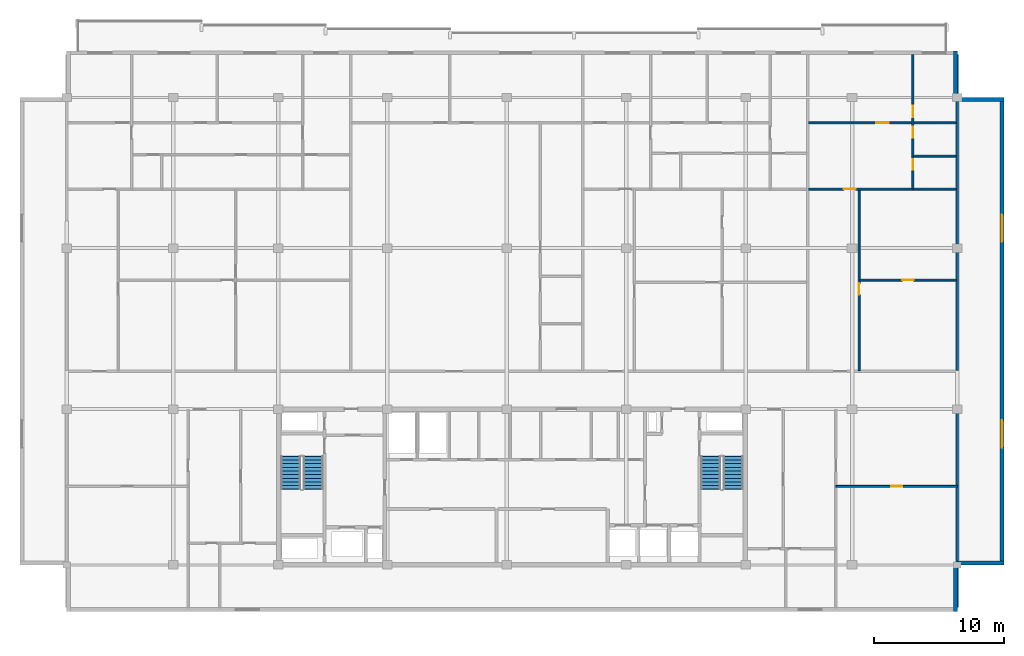
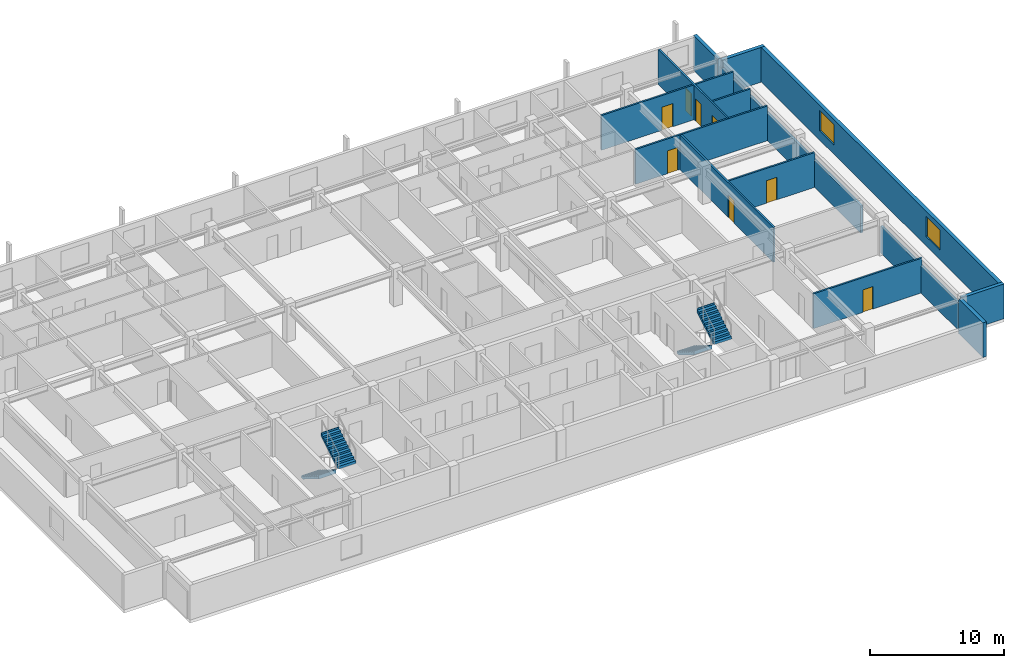
# One storey, part 8 of 10: 14 walls, 8 doors, 4 stair flights, 2 windows, 10 openings, 2 elements without a shape of their own.
"""IFC4 building model written with IfcOpenShell, lengths in metres."""

from ifc_helpers import new_model, si_unit, direction, frame, frame_2d, origin, place, context, subcontext, project, spatial, polyline, rectangle, outline, extrude, material, layer, layer_set, type_object, element, fill, aggregate, save


model = new_model("IFC4")

# Units and contexts
model_context = context("Model", 3, precision=1e-05, world=origin(), true_north=direction((0.0, 1.0)))
body_context = subcontext(model_context, "Body", "Model", "MODEL_VIEW")
ifc_project = project(units=[si_unit("LENGTHUNIT", "METRE"), si_unit("AREAUNIT", "SQUARE_METRE"), si_unit("VOLUMEUNIT", "CUBIC_METRE"), si_unit("PLANEANGLEUNIT", "RADIAN"), si_unit("MASSUNIT", "GRAM", prefix="KILO")], contexts=[model_context])

# Site, building, storey
site_placement = place(None, origin())
site = spatial("IfcSite", under=ifc_project, at=site_placement, CompositionType="ELEMENT")
building_placement = place(site_placement, origin())
building = spatial("IfcBuilding", under=site, at=building_placement, Name="Korimba Cascade Residences", CompositionType="ELEMENT")
storey_placement = place(building_placement, frame((0.0, 0.0, 232.10009765625)))
storey = spatial("IfcBuildingStorey", under=building, at=storey_placement, Name="L67", CompositionType="ELEMENT", Elevation=232.10009765625)

# Walls
ifc_material_1 = material(Name="Precast concrete C40/50", Category="concrete")
ifc_layer_1 = layer(ifc_material_1, 0.300048828125)
ifc_layer_set_1 = layer_set([ifc_layer_1], Name="Precast concrete C40/50")
wall_type_1 = type_object("IfcWallType", Name="EW-STONE-300", PredefinedType="STANDARD", material=ifc_layer_set_1)
wall_1_placement = place(storey_placement, frame((128.25, 51.60009765625, 0.0), z_axis=(0.0, 0.0, 1.0), x_axis=(0.0, 1.0, 0.0)))
element("IfcWall", 1, at=wall_1_placement, inside=storey, type_object=wall_type_1, Name="L67 T1 Perimeter Stone Wall E01", PredefinedType="STANDARD", context=body_context, shape_type="SweptSolid", body=[
    extrude(rectangle(XDim=3.599853515625, YDim=0.300048828125, at=frame_2d((1.7998046875, 0.0))), origin(), (0.0, 0.0, 1.0), 3.169921875),
])
wall_2_placement = place(storey_placement, frame((128.39990234375, 55.35009765625, 0.0), z_axis=(0.0, 0.0, 1.0), x_axis=(1.0, 0.0, 0.0)))
element("IfcWall", 2, at=wall_2_placement, inside=storey, type_object=wall_type_1, Name="L67 T1 Perimeter Stone Wall E02", PredefinedType="STANDARD", context=body_context, shape_type="SweptSolid", body=[
    extrude(rectangle(XDim=3.60009765625, YDim=0.300048828125, at=frame_2d((1.800048828125, 0.0))), origin(), (0.0, 0.0, 1.0), 3.169921875),
])

# Wall, openings, windows
wall_3_placement = place(storey_placement, frame((131.85009765625, 55.199951171875, 0.0), z_axis=(0.0, 0.0, 1.0), x_axis=(0.0, 1.0, 0.0)))
wall_3 = element("IfcWall", 3, at=wall_3_placement, inside=storey, type_object=wall_type_1, Name="L67 T1 Perimeter Stone Wall E03", PredefinedType="STANDARD", context=body_context, shape_type="SweptSolid", body=[
    extrude(rectangle(XDim=36.0, YDim=0.300048828125, at=frame_2d((18.0, 0.0))), origin(), (0.0, 0.0, 1.0), 3.169921875),
])
opening_1_placement = place(wall_3_placement, frame((9.030029296875, 0.0, 0.85009765625)))
opening_1 = element("IfcOpeningElement", 4, at=opening_1_placement, cuts=wall_3, Name="Opening W-03", PredefinedType="OPENING", context=body_context, shape_type="SweptSolid", body=[
    extrude(rectangle(XDim=2.10009765625, YDim=1.85009765625, at=frame_2d((1.050048828125, 0.925048828125))), frame((0.0, 0.16015625, 0.0), z_axis=(0.0, -1.0, 0.0), x_axis=(1.0, 0.0, 0.0)), (0.0, 0.0, 1.0), 0.320068359375),
])
opening_2_placement = place(wall_3_placement, frame((24.8701171875, 0.0, 0.85009765625)))
opening_2 = element("IfcOpeningElement", 5, at=opening_2_placement, cuts=wall_3, Name="Opening W-03", PredefinedType="OPENING", context=body_context, shape_type="SweptSolid", body=[
    extrude(rectangle(XDim=2.10009765625, YDim=1.85009765625, at=frame_2d((1.050048828125, 0.925048828125))), frame((0.0, 0.16015625, 0.0), z_axis=(0.0, -1.0, 0.0), x_axis=(1.0, 0.0, 0.0)), (0.0, 0.0, 1.0), 0.320068359375),
])
ifc_material_2 = material(Name="Double-Glazed Aluminium Window", Category="aluminium")
window_type = type_object("IfcWindowType", Name="WIN-CRN-2100", PartitioningType="DOUBLE_PANEL_HORIZONTAL", PredefinedType="WINDOW", material=ifc_material_2)
window_1_placement = place(opening_1_placement, origin())
window_1 = element("IfcWindow", 6, at=window_1_placement, inside=storey, type_object=window_type, Name="L67 T1 End View Window 3.1", OverallHeight=1.85009765625, OverallWidth=2.10009765625, PartitioningType="DOUBLE_PANEL_HORIZONTAL", PredefinedType="WINDOW", context=body_context, shape_type="SweptSolid", body=[
    extrude(rectangle(XDim=2.10009765625, YDim=1.85009765625, at=frame_2d((1.050048828125, 0.925048828125))), frame((0.0, 0.030029296875, 0.0), z_axis=(0.0, -1.0, 0.0), x_axis=(1.0, 0.0, 0.0)), (0.0, 0.0, 1.0), 0.06005859375),
])
fill(opening_1, window_1)
window_2_placement = place(opening_2_placement, origin())
window_2 = element("IfcWindow", 7, at=window_2_placement, inside=storey, type_object=window_type, Name="L67 T1 End View Window 3.2", OverallHeight=1.85009765625, OverallWidth=2.10009765625, PartitioningType="DOUBLE_PANEL_HORIZONTAL", PredefinedType="WINDOW", context=body_context, shape_type="SweptSolid", body=[
    extrude(rectangle(XDim=2.10009765625, YDim=1.85009765625, at=frame_2d((1.050048828125, 0.925048828125))), frame((0.0, 0.030029296875, 0.0), z_axis=(0.0, -1.0, 0.0), x_axis=(1.0, 0.0, 0.0)), (0.0, 0.0, 1.0), 0.06005859375),
])
fill(opening_2, window_2)

# Walls
for number, where, z_axis, x_axis, name in (
    (8, (132.0, 91.050048828125, 0.0), (0.0, 0.0, 1.0), (-1.0, 0.0, 0.0), "L67 T1 Perimeter Stone Wall E04"),
    (9, (128.25, 91.199951171875, 0.0), (0.0, 0.0, 1.0), (0.0, 1.0, 0.0), "L67 T1 Perimeter Stone Wall E05"),
):
    element("IfcWall", number, at=place(storey_placement, frame(where, z_axis=z_axis, x_axis=x_axis)), inside=storey, type_object=wall_type_1, Name=name, PredefinedType="STANDARD", context=body_context, shape_type="SweptSolid", body=[
        extrude(rectangle(XDim=3.60009765625, YDim=0.300048828125, at=frame_2d((1.800048828125, 0.0))), origin(), (0.0, 0.0, 1.0), 3.169921875),
    ])
ifc_layer_2 = layer(ifc_material_1, 0.199951171875)
ifc_layer_set_2 = layer_set([ifc_layer_2], Name="Precast concrete C40/50")
wall_type_2 = type_object("IfcWallType", Name="WAL-IT-200", PredefinedType="PARTITIONING", material=ifc_layer_set_2)
wall_4_placement = place(storey_placement, frame((128.39990234375, 51.89990234375, 0.0), z_axis=(0.0, 0.0, 1.0), x_axis=(0.0, 1.0, 0.0)))
element("IfcWall", 10, at=wall_4_placement, inside=storey, type_object=wall_type_2, Name="L67 Partition Wall WAL-L67-T1-FE-WR", PredefinedType="PARTITIONING", context=body_context, shape_type="SweptSolid", body=[
    extrude(rectangle(XDim=15.300048828125, YDim=0.199951171875, at=frame_2d((7.64990234375, 0.0))), origin(), (0.0, 0.0, 1.0), 2.47705078125),
])
wall_5_placement = place(storey_placement, frame((128.39990234375, 70.179931640625, 0.0), z_axis=(0.0, 0.0, 1.0), x_axis=(0.0, 1.0, 0.0)))
element("IfcWall", 11, at=wall_5_placement, inside=storey, type_object=wall_type_2, Name="L67 Partition Wall WAL-L67-T1-BNDWR", PredefinedType="PARTITIONING", context=body_context, shape_type="SweptSolid", body=[
    extrude(rectangle(XDim=24.320068359375, YDim=0.199951171875, at=frame_2d((12.16015625, 0.0))), origin(), (0.0, 0.0, 1.0), 2.47705078125),
])

# Wall, opening, door
ifc_material_3 = material(Name="Insulated Acoustic Stud Partition", Category="gypsum")
ifc_layer_3 = layer(ifc_material_3, 0.14990234375)
ifc_layer_set_3 = layer_set([ifc_layer_3], Name="Insulated Acoustic Stud Partition")
wall_type_3 = type_object("IfcWallType", Name="WAL-PART-150", PredefinedType="PARTITIONING", material=ifc_layer_set_3)
wall_6_placement = place(storey_placement, frame((119.050048828125, 61.25, 0.0), z_axis=(0.0, 0.0, 1.0), x_axis=(1.0, 0.0, 0.0)))
wall_6 = element("IfcWall", 12, at=wall_6_placement, inside=storey, type_object=wall_type_3, Name="L67 Partition Wall WAL-L67-T1-FE-STH", PredefinedType="PARTITIONING", context=body_context, shape_type="SweptSolid", body=[
    extrude(rectangle(XDim=9.349853515625, YDim=0.14990234375, at=frame_2d((4.6748046875, 0.0))), origin(), (0.0, 0.0, 1.0), 3.169921875),
])
opening_3_placement = place(wall_6_placement, frame((4.2548828125, 0.0, 0.0)))
opening_3 = element("IfcOpeningElement", 13, at=opening_3_placement, cuts=wall_6, Name="Opening D-BT1", PredefinedType="OPENING", context=body_context, shape_type="SweptSolid", body=[
    extrude(rectangle(XDim=0.840087890625, YDim=2.0400390625, at=frame_2d((0.419921875, 1.02001953125))), frame((0.0, 0.0849609375, 0.0), z_axis=(0.0, -1.0, 0.0), x_axis=(1.0, 0.0, 0.0)), (0.0, 0.0, 1.0), 0.169921875),
])
ifc_material_4 = material(Name="Moisture-Resistant Bathroom Timber Door", Category="wood")
door_type_1 = type_object("IfcDoorType", Name="DR-INT-850", OperationType="NOTDEFINED", PredefinedType="DOOR", material=ifc_material_4)
door_1_placement = place(opening_3_placement, origin())
door_1 = element("IfcDoor", 14, at=door_1_placement, inside=storey, type_object=door_type_1, Name="L67-T1-FE Dressing Store Door", OperationType="SINGLE_SWING_RIGHT", OverallHeight=2.0400390625, OverallWidth=0.840087890625, PredefinedType="DOOR", context=body_context, shape_type="SweptSolid", body=[
    extrude(rectangle(XDim=0.840087890625, YDim=2.0400390625, at=frame_2d((0.419921875, 1.02001953125))), frame((0.0, 0.02490234375, 0.0), z_axis=(0.0, -1.0, 0.0), x_axis=(1.0, 0.0, 0.0)), (0.0, 0.0, 1.0), 0.050048828125),
])
fill(opening_3, door_1)

wall_7_placement = place(storey_placement, frame((120.899658203125, 77.135009765625, 0.0), z_axis=(0.0, 0.0, 1.0), x_axis=(1.0, 0.0, 0.0)))
wall_7 = element("IfcWall", 15, at=wall_7_placement, inside=storey, type_object=wall_type_3, Name="L67 Partition Wall WAL-L67-T1-U04-FMH", PredefinedType="PARTITIONING", context=body_context, shape_type="SweptSolid", body=[
    extrude(rectangle(XDim=7.42041015625, YDim=0.14990234375, at=frame_2d((3.710205078125, 0.0))), origin(), (0.0, 0.0, 1.0), 3.169921875),
])
opening_4_placement = place(wall_7_placement, frame((3.270263671875, 0.0, 0.0)))
opening_4 = element("IfcOpeningElement", 16, at=opening_4_placement, cuts=wall_7, Name="Opening D-IN2", PredefinedType="OPENING", context=body_context, shape_type="SweptSolid", body=[
    extrude(rectangle(XDim=0.8798828125, YDim=2.06005859375, at=frame_2d((0.43994140625, 1.030029296875))), frame((0.0, 0.0849609375, 0.0), z_axis=(0.0, -1.0, 0.0), x_axis=(1.0, 0.0, 0.0)), (0.0, 0.0, 1.0), 0.169921875),
])
ifc_material_5 = material(Name="Acoustic Timber Bedroom Door", Category="wood")
door_type_2 = type_object("IfcDoorType", Name="DR-INT-880", OperationType="NOTDEFINED", PredefinedType="DOOR", material=ifc_material_5)
door_2_placement = place(opening_4_placement, origin())
door_2 = element("IfcDoor", 17, at=door_2_placement, inside=storey, type_object=door_type_2, Name="L67-T1-U04 Library Salon Door", OperationType="SINGLE_SWING_LEFT", OverallHeight=2.06005859375, OverallWidth=0.8798828125, PredefinedType="DOOR", context=body_context, shape_type="SweptSolid", body=[
    extrude(rectangle(XDim=0.8798828125, YDim=2.06005859375, at=frame_2d((0.43994140625, 1.030029296875))), frame((0.0, 0.02490234375, 0.0), z_axis=(0.0, -1.0, 0.0), x_axis=(1.0, 0.0, 0.0)), (0.0, 0.0, 1.0), 0.050048828125),
])
fill(opening_4, door_2)

wall_8_placement = place(storey_placement, frame((120.839599609375, 70.159912109375, 0.0), z_axis=(0.0, 0.0, 1.0), x_axis=(0.0, 1.0, 0.0)))
wall_8 = element("IfcWall", 18, at=wall_8_placement, inside=storey, type_object=wall_type_3, Name="L67 Partition Wall WAL-L67-T1-U04-FV", PredefinedType="PARTITIONING", context=body_context, shape_type="SweptSolid", body=[
    extrude(rectangle(XDim=13.9501953125, YDim=0.14990234375, at=frame_2d((6.97509765625, 0.0))), origin(), (0.0, 0.0, 1.0), 3.169921875),
])
opening_5_placement = place(wall_8_placement, frame((5.844970703125, 0.0, 0.0)))
opening_5 = element("IfcOpeningElement", 19, at=opening_5_placement, cuts=wall_8, Name="Opening D-IN2", PredefinedType="OPENING", context=body_context, shape_type="SweptSolid", body=[
    extrude(rectangle(XDim=0.8798828125, YDim=2.06005859375, at=frame_2d((0.43994140625, 1.030029296875))), frame((0.0, 0.0849609375, 0.0), z_axis=(0.0, -1.0, 0.0), x_axis=(1.0, 0.0, 0.0)), (0.0, 0.0, 1.0), 0.169921875),
])
door_3_placement = place(opening_5_placement, origin())
door_3 = element("IfcDoor", 20, at=door_3_placement, inside=storey, type_object=door_type_2, Name="L67-T1-U04 Media Lounge Door", OperationType="SINGLE_SWING_RIGHT", OverallHeight=2.06005859375, OverallWidth=0.8798828125, PredefinedType="DOOR", context=body_context, shape_type="SweptSolid", body=[
    extrude(rectangle(XDim=0.8798828125, YDim=2.06005859375, at=frame_2d((0.43994140625, 1.030029296875))), frame((0.0, 0.02490234375, 0.0), z_axis=(0.0, -1.0, 0.0), x_axis=(1.0, 0.0, 0.0)), (0.0, 0.0, 1.0), 0.050048828125),
])
fill(opening_5, door_3)

# Wall
wall_9_placement = place(storey_placement, frame((125.0400390625, 86.68994140625, 0.0), z_axis=(0.0, 0.0, 1.0), x_axis=(1.0, 0.0, 0.0)))
element("IfcWall", 21, at=wall_9_placement, inside=storey, type_object=wall_type_3, Name="L67 Partition Wall WAL-L67-T1-U04-BLDIV", PredefinedType="PARTITIONING", context=body_context, shape_type="SweptSolid", body=[
    extrude(rectangle(XDim=3.280029296875, YDim=0.14990234375, at=frame_2d((1.64013671875, 0.0))), origin(), (0.0, 0.0, 1.0), 3.169921875),
])

# Wall, openings, doors
wall_10_placement = place(storey_placement, frame((124.97998046875, 84.18994140625, 0.0), z_axis=(0.0, 0.0, 1.0), x_axis=(0.0, 1.0, 0.0)))
wall_10 = element("IfcWall", 22, at=wall_10_placement, inside=storey, type_object=wall_type_3, Name="L67 Partition Wall WAL-L67-T1-U04-V1", PredefinedType="PARTITIONING", context=body_context, shape_type="SweptSolid", body=[
    extrude(rectangle(XDim=10.31005859375, YDim=0.14990234375, at=frame_2d((5.155029296875, 0.0))), origin(), (0.0, 0.0, 1.0), 3.169921875),
])
opening_6_placement = place(wall_10_placement, frame((1.430419921875, 0.0, 0.0)))
opening_6 = element("IfcOpeningElement", 23, at=opening_6_placement, cuts=wall_10, Name="Opening D-BT1", PredefinedType="OPENING", context=body_context, shape_type="SweptSolid", body=[
    extrude(rectangle(XDim=0.840087890625, YDim=2.0400390625, at=frame_2d((0.419921875, 1.02001953125))), frame((0.0, 0.0849609375, 0.0), z_axis=(0.0, -1.0, 0.0), x_axis=(1.0, 0.0, 0.0)), (0.0, 0.0, 1.0), 0.169921875),
])
opening_7_placement = place(wall_10_placement, frame((3.919921875, 0.0, 0.0)))
opening_7 = element("IfcOpeningElement", 24, at=opening_7_placement, cuts=wall_10, Name="Opening D-BT1", PredefinedType="OPENING", context=body_context, shape_type="SweptSolid", body=[
    extrude(rectangle(XDim=0.840087890625, YDim=2.0400390625, at=frame_2d((0.419921875, 1.02001953125))), frame((0.0, 0.0849609375, 0.0), z_axis=(0.0, -1.0, 0.0), x_axis=(1.0, 0.0, 0.0)), (0.0, 0.0, 1.0), 0.169921875),
])
opening_8_placement = place(wall_10_placement, frame((5.47998046875, 0.0, 0.0)))
opening_8 = element("IfcOpeningElement", 25, at=opening_8_placement, cuts=wall_10, Name="Opening D-IN2", PredefinedType="OPENING", context=body_context, shape_type="SweptSolid", body=[
    extrude(rectangle(XDim=0.8798828125, YDim=2.06005859375, at=frame_2d((0.43994140625, 1.030029296875))), frame((0.0, 0.0849609375, 0.0), z_axis=(0.0, -1.0, 0.0), x_axis=(1.0, 0.0, 0.0)), (0.0, 0.0, 1.0), 0.169921875),
])
door_4_placement = place(opening_6_placement, origin())
door_4 = element("IfcDoor", 26, at=door_4_placement, inside=storey, type_object=door_type_1, Name="L67-T1-U04 Bathroom Door", OperationType="SINGLE_SWING_LEFT", OverallHeight=2.0400390625, OverallWidth=0.840087890625, PredefinedType="DOOR", context=body_context, shape_type="SweptSolid", body=[
    extrude(rectangle(XDim=0.840087890625, YDim=2.0400390625, at=frame_2d((0.419921875, 1.02001953125))), frame((0.0, 0.02490234375, 0.0), z_axis=(0.0, -1.0, 0.0), x_axis=(1.0, 0.0, 0.0)), (0.0, 0.0, 1.0), 0.050048828125),
])
fill(opening_6, door_4)
door_5_placement = place(opening_7_placement, origin())
door_5 = element("IfcDoor", 27, at=door_5_placement, inside=storey, type_object=door_type_1, Name="L67-T1-U04 Laundry Door", OperationType="SINGLE_SWING_RIGHT", OverallHeight=2.0400390625, OverallWidth=0.840087890625, PredefinedType="DOOR", context=body_context, shape_type="SweptSolid", body=[
    extrude(rectangle(XDim=0.840087890625, YDim=2.0400390625, at=frame_2d((0.419921875, 1.02001953125))), frame((0.0, 0.02490234375, 0.0), z_axis=(0.0, -1.0, 0.0), x_axis=(1.0, 0.0, 0.0)), (0.0, 0.0, 1.0), 0.050048828125),
])
fill(opening_7, door_5)
door_6_placement = place(opening_8_placement, origin())
door_6 = element("IfcDoor", 28, at=door_6_placement, inside=storey, type_object=door_type_2, Name="L67-T1-U04 Bedroom 1 Door", OperationType="SINGLE_SWING_LEFT", OverallHeight=2.06005859375, OverallWidth=0.8798828125, PredefinedType="DOOR", context=body_context, shape_type="SweptSolid", body=[
    extrude(rectangle(XDim=0.8798828125, YDim=2.06005859375, at=frame_2d((0.43994140625, 1.030029296875))), frame((0.0, 0.02490234375, 0.0), z_axis=(0.0, -1.0, 0.0), x_axis=(1.0, 0.0, 0.0)), (0.0, 0.0, 1.0), 0.050048828125),
])
fill(opening_8, door_6)

# Wall, opening, door
wall_11_placement = place(storey_placement, frame((116.94970703125, 84.14990234375, 0.0), z_axis=(0.0, 0.0, 1.0), x_axis=(1.0, 0.0, 0.0)))
wall_11 = element("IfcWall", 29, at=wall_11_placement, inside=storey, type_object=wall_type_3, Name="L67 Partition Wall WAL-L67-T1-U04-MW", PredefinedType="PARTITIONING", context=body_context, shape_type="SweptSolid", body=[
    extrude(rectangle(XDim=11.370361328125, YDim=0.14990234375, at=frame_2d((5.68505859375, 0.0))), origin(), (0.0, 0.0, 1.0), 3.169921875),
])
opening_9_placement = place(wall_11_placement, frame((2.719970703125, 0.0, 0.0)))
opening_9 = element("IfcOpeningElement", 30, at=opening_9_placement, cuts=wall_11, Name="Opening D-IN1", PredefinedType="OPENING", context=body_context, shape_type="SweptSolid", body=[
    extrude(rectangle(XDim=0.919921875, YDim=2.080078125, at=frame_2d((0.4599609375, 1.0400390625))), frame((0.0, 0.0849609375, 0.0), z_axis=(0.0, -1.0, 0.0), x_axis=(1.0, 0.0, 0.0)), (0.0, 0.0, 1.0), 0.169921875),
])
ifc_material_6 = material(Name="Acoustic Timber Living Door", Category="wood")
door_type_3 = type_object("IfcDoorType", Name="DR-INT-920", OperationType="NOTDEFINED", PredefinedType="DOOR", material=ifc_material_6)
door_7_placement = place(opening_9_placement, origin())
door_7 = element("IfcDoor", 31, at=door_7_placement, inside=storey, type_object=door_type_3, Name="L67-T1-U04 Kitchen Archway Door", OperationType="SINGLE_SWING_RIGHT", OverallHeight=2.080078125, OverallWidth=0.919921875, PredefinedType="DOOR", context=body_context, shape_type="SweptSolid", body=[
    extrude(rectangle(XDim=0.919921875, YDim=2.080078125, at=frame_2d((0.4599609375, 1.0400390625))), frame((0.0, 0.02490234375, 0.0), z_axis=(0.0, -1.0, 0.0), x_axis=(1.0, 0.0, 0.0)), (0.0, 0.0, 1.0), 0.050048828125),
])
fill(opening_9, door_7)

wall_12_placement = place(storey_placement, frame((116.94970703125, 89.25, 0.0), z_axis=(0.0, 0.0, 1.0), x_axis=(1.0, 0.0, 0.0)))
wall_12 = element("IfcWall", 32, at=wall_12_placement, inside=storey, type_object=wall_type_3, Name="L67 Partition Wall WAL-L67-T1-U04-HZ", PredefinedType="PARTITIONING", context=body_context, shape_type="SweptSolid", body=[
    extrude(rectangle(XDim=11.370361328125, YDim=0.14990234375, at=frame_2d((5.68505859375, 0.0))), origin(), (0.0, 0.0, 1.0), 3.169921875),
])
opening_10_placement = place(wall_12_placement, frame((5.215087890625, 0.0, 0.0)))
opening_10 = element("IfcOpeningElement", 33, at=opening_10_placement, cuts=wall_12, Name="Opening D-IN0", PredefinedType="OPENING", context=body_context, shape_type="SweptSolid", body=[
    extrude(rectangle(XDim=0.93994140625, YDim=2.10009765625, at=frame_2d((0.469970703125, 1.050048828125))), frame((0.0, 0.0849609375, 0.0), z_axis=(0.0, -1.0, 0.0), x_axis=(1.0, 0.0, 0.0)), (0.0, 0.0, 1.0), 0.169921875),
])
ifc_material_7 = material(Name="Acoustic Timber Living Archway Door", Category="wood")
door_type_4 = type_object("IfcDoorType", Name="DR-INT-950", OperationType="NOTDEFINED", PredefinedType="DOOR", material=ifc_material_7)
door_8_placement = place(opening_10_placement, origin())
door_8 = element("IfcDoor", 34, at=door_8_placement, inside=storey, type_object=door_type_4, Name="L67-T1-U04 Living Archway Door", OperationType="SINGLE_SWING_LEFT", OverallHeight=2.10009765625, OverallWidth=0.93994140625, PredefinedType="DOOR", context=body_context, shape_type="SweptSolid", body=[
    extrude(rectangle(XDim=0.93994140625, YDim=2.10009765625, at=frame_2d((0.469970703125, 1.050048828125))), frame((0.0, 0.02490234375, 0.0), z_axis=(0.0, -1.0, 0.0), x_axis=(1.0, 0.0, 0.0)), (0.0, 0.0, 1.0), 0.050048828125),
])
fill(opening_10, door_8)

# Stair, stair flights
ifc_material_8 = material(Name="Concrete C50/60", Category="concrete")
stair_type_1 = type_object("IfcStairType", Name="STR-W1-20R-1725", PredefinedType="HALF_TURN_STAIR", material=ifc_material_8)
stair_1_placement = place(storey_placement, origin())
stair_1 = element("IfcStair", 35, at=stair_1_placement, inside=storey, type_object=stair_type_1, Name="L67 Tower 1 West Fire Stair ST-W1", PredefinedType="HALF_TURN_STAIR")
stair_flight_type = type_object("IfcStairFlightType", Name="STF-DL-20R-1725-1520", PredefinedType="STRAIGHT", material=ifc_material_8)
stair_flight_1_placement = place(storey_placement, frame((77.06005859375, 63.550048828125, 0.0), z_axis=(0.0, 0.0, 1.0), x_axis=(0.0, -1.0, 0.0)))
stair_flight_1 = element("IfcStairFlight", 36, at=stair_flight_1_placement, type_object=stair_flight_type, Name="ST-W1 flight 1", NumberOfRisers=10, NumberOfTreads=9, PredefinedType="STRAIGHT", RiserHeight=0.1725, TreadLength=0.28, context=body_context, shape_type="SweptSolid", body=[
    extrude(outline(polyline([(-0.0380859375, 0.0), (0.0, 0.172607421875), (0.280029296875, 0.172607421875), (0.280029296875, 0.344970703125), (0.56005859375, 0.344970703125), (0.56005859375, 0.517578125), (0.840087890625, 0.517578125), (0.840087890625, 0.68994140625), (1.1201171875, 0.68994140625), (1.1201171875, 0.862548828125), (1.39990234375, 0.862548828125), (1.39990234375, 1.034912109375), (1.679931640625, 1.034912109375), (1.679931640625, 1.20751953125), (1.9599609375, 1.20751953125), (1.9599609375, 1.3798828125), (2.239990234375, 1.3798828125), (2.239990234375, 1.552490234375), (2.52001953125, 1.552490234375), (2.52001953125, 1.72509765625), (2.55810546875, 1.72509765625), (2.55810546875, 1.37646484375), (0.285888671875, 0.0), (0.285888671875, -0.0380859375), (-0.0380859375, -0.0380859375), (-0.0380859375, 0.0)])), frame((0.0, 0.760009765625, 0.0), z_axis=(0.0, -1.0, 0.0), x_axis=(1.0, 0.0, 0.0)), (0.0, 0.0, 1.0), 1.52001953125),
])
stair_flight_2_placement = place(storey_placement, frame((78.780029296875, 61.030029296875, 1.724853515625), z_axis=(0.0, 0.0, 1.0), x_axis=(0.0, 1.0, 0.0)))
stair_flight_2 = element("IfcStairFlight", 37, at=stair_flight_2_placement, type_object=stair_flight_type, Name="ST-W1 flight 2", NumberOfRisers=10, NumberOfTreads=9, PredefinedType="STRAIGHT", RiserHeight=0.1725, TreadLength=0.28, context=body_context, shape_type="SweptSolid", body=[
    extrude(outline(polyline([(-0.0380859375, 0.0), (0.0, 0.172607421875), (0.280029296875, 0.172607421875), (0.280029296875, 0.344970703125), (0.56005859375, 0.344970703125), (0.56005859375, 0.517578125), (0.840087890625, 0.517578125), (0.840087890625, 0.68994140625), (1.1201171875, 0.68994140625), (1.1201171875, 0.862548828125), (1.39990234375, 0.862548828125), (1.39990234375, 1.034912109375), (1.679931640625, 1.034912109375), (1.679931640625, 1.20751953125), (1.9599609375, 1.20751953125), (1.9599609375, 1.3798828125), (2.239990234375, 1.3798828125), (2.239990234375, 1.552490234375), (2.52001953125, 1.552490234375), (2.52001953125, 1.72509765625), (2.55810546875, 1.72509765625), (2.55810546875, 1.37646484375), (0.285888671875, 0.0), (0.285888671875, -0.0380859375), (-0.0380859375, -0.0380859375), (-0.0380859375, 0.0)])), frame((0.0, 0.760009765625, 0.0), z_axis=(0.0, -1.0, 0.0), x_axis=(1.0, 0.0, 0.0)), (0.0, 0.0, 1.0), 1.52001953125),
])
aggregate(stair_1, [stair_flight_1, stair_flight_2])

stair_type_2 = type_object("IfcStairType", Name="STR-W2-20R-1725", PredefinedType="HALF_TURN_STAIR", material=ifc_material_8)
stair_2_placement = place(storey_placement, origin())
stair_2 = element("IfcStair", 38, at=stair_2_placement, inside=storey, type_object=stair_type_2, Name="L67 Tower 1 East Fire Stair ST-W2", PredefinedType="HALF_TURN_STAIR")
stair_flight_3_placement = place(storey_placement, frame((109.419921875, 63.550048828125, 0.0), z_axis=(0.0, 0.0, 1.0), x_axis=(0.0, -1.0, 0.0)))
stair_flight_3 = element("IfcStairFlight", 39, at=stair_flight_3_placement, type_object=stair_flight_type, Name="ST-W2 flight 1", NumberOfRisers=10, NumberOfTreads=9, PredefinedType="STRAIGHT", RiserHeight=0.1725, TreadLength=0.28, context=body_context, shape_type="SweptSolid", body=[
    extrude(outline(polyline([(-0.0380859375, 0.0), (0.0, 0.172607421875), (0.280029296875, 0.172607421875), (0.280029296875, 0.344970703125), (0.56005859375, 0.344970703125), (0.56005859375, 0.517578125), (0.840087890625, 0.517578125), (0.840087890625, 0.68994140625), (1.1201171875, 0.68994140625), (1.1201171875, 0.862548828125), (1.39990234375, 0.862548828125), (1.39990234375, 1.034912109375), (1.679931640625, 1.034912109375), (1.679931640625, 1.20751953125), (1.9599609375, 1.20751953125), (1.9599609375, 1.3798828125), (2.239990234375, 1.3798828125), (2.239990234375, 1.552490234375), (2.52001953125, 1.552490234375), (2.52001953125, 1.72509765625), (2.55810546875, 1.72509765625), (2.55810546875, 1.37646484375), (0.285888671875, 0.0), (0.285888671875, -0.0380859375), (-0.0380859375, -0.0380859375), (-0.0380859375, 0.0)])), frame((0.0, 0.760009765625, 0.0), z_axis=(0.0, -1.0, 0.0), x_axis=(1.0, 0.0, 0.0)), (0.0, 0.0, 1.0), 1.52001953125),
])
stair_flight_4_placement = place(storey_placement, frame((111.139892578125, 61.030029296875, 1.724853515625), z_axis=(0.0, 0.0, 1.0), x_axis=(0.0, 1.0, 0.0)))
stair_flight_4 = element("IfcStairFlight", 40, at=stair_flight_4_placement, type_object=stair_flight_type, Name="ST-W2 flight 2", NumberOfRisers=10, NumberOfTreads=9, PredefinedType="STRAIGHT", RiserHeight=0.1725, TreadLength=0.28, context=body_context, shape_type="SweptSolid", body=[
    extrude(outline(polyline([(-0.0380859375, 0.0), (0.0, 0.172607421875), (0.280029296875, 0.172607421875), (0.280029296875, 0.344970703125), (0.56005859375, 0.344970703125), (0.56005859375, 0.517578125), (0.840087890625, 0.517578125), (0.840087890625, 0.68994140625), (1.1201171875, 0.68994140625), (1.1201171875, 0.862548828125), (1.39990234375, 0.862548828125), (1.39990234375, 1.034912109375), (1.679931640625, 1.034912109375), (1.679931640625, 1.20751953125), (1.9599609375, 1.20751953125), (1.9599609375, 1.3798828125), (2.239990234375, 1.3798828125), (2.239990234375, 1.552490234375), (2.52001953125, 1.552490234375), (2.52001953125, 1.72509765625), (2.55810546875, 1.72509765625), (2.55810546875, 1.37646484375), (0.285888671875, 0.0), (0.285888671875, -0.0380859375), (-0.0380859375, -0.0380859375), (-0.0380859375, 0.0)])), frame((0.0, 0.760009765625, 0.0), z_axis=(0.0, -1.0, 0.0), x_axis=(1.0, 0.0, 0.0)), (0.0, 0.0, 1.0), 1.52001953125),
])
aggregate(stair_2, [stair_flight_3, stair_flight_4])

save(model, "model.ifc")
